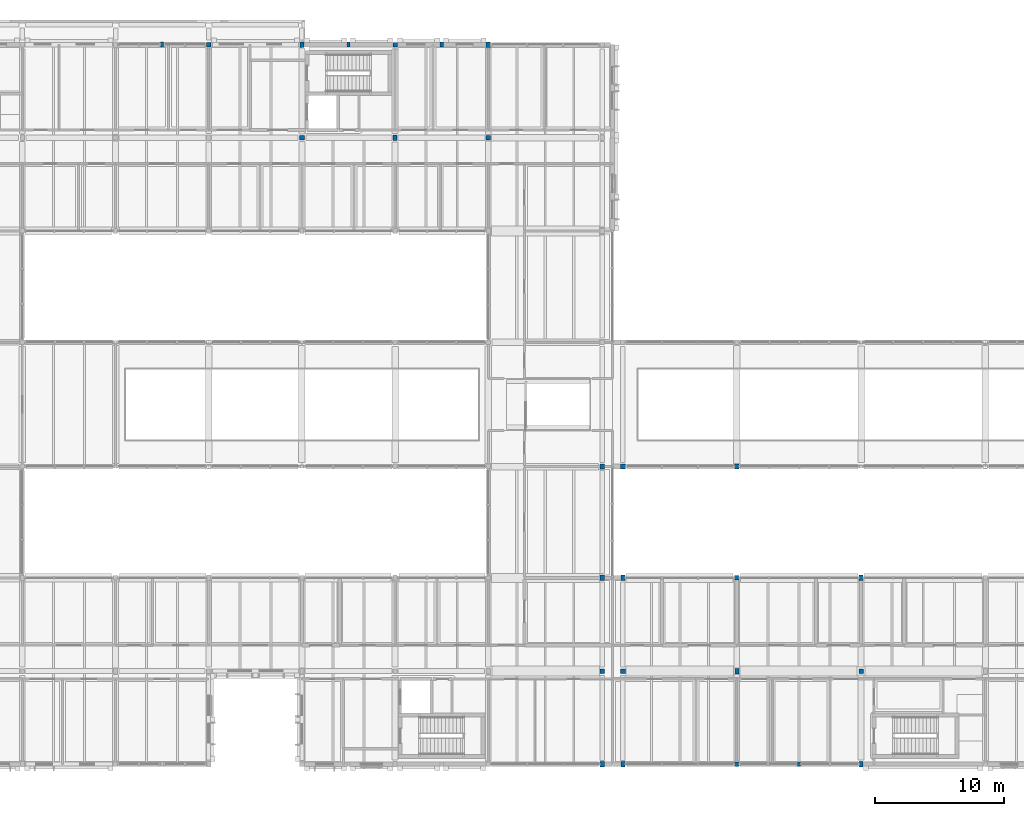
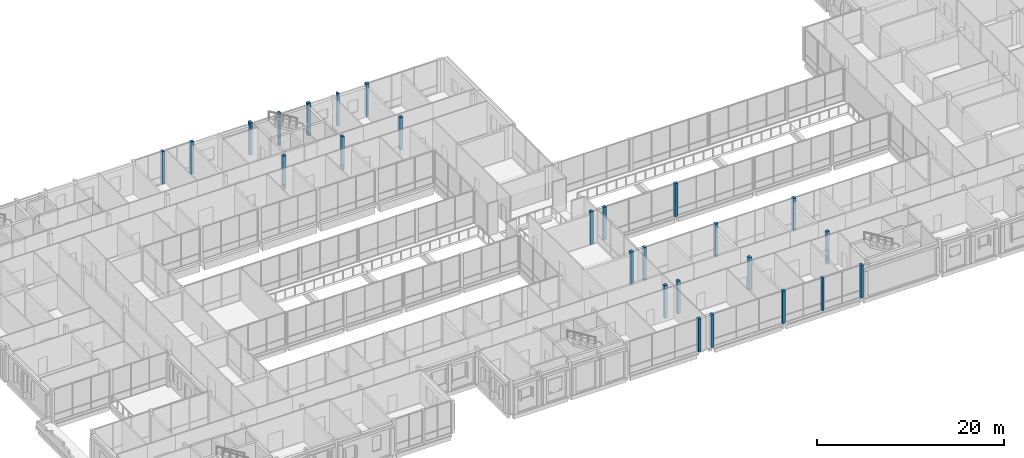
# One storey, part 9 of 146: 26 columns.
"""IFC4 building model written with IfcOpenShell, lengths in metres."""

import ifcopenshell
import ifcopenshell.guid

model = None  # the IFC model being written
_history = None  # IfcOwnerHistory: only IFC2X3 demands one
_inside = {}  # id of a spatial element -> (the spatial element, [elements in it])
_under = {}  # id of a project, library or spatial element -> (it, [spatial elements below it])
_declared = {}  # id of a project -> (the project, [libraries it declares])
_typed = {}  # id of a type object -> (the type object, [elements of that type])
_made_of = {}  # id of a material, layer set ... -> (it, [elements and type objects made of it])


def new_model(schema):
    """Start an empty IFC model of exactly this schema.

    Asked for "IFC4X3", IfcOpenShell would pick the latest addendum, in which some entities
    have other attributes; the version numbers below select the first issue.
    IFC2X3 requires an IfcOwnerHistory on every rooted entity: one is made here for all.
    """
    global model, _history
    if schema == "IFC4X3":
        model = ifcopenshell.file(schema_version=(4, 3, 0, 0))
    else:
        model = ifcopenshell.file(schema=schema)
    _inside.clear()
    _under.clear()
    _declared.clear()
    _typed.clear()
    _made_of.clear()
    _history = None
    if model.schema == "IFC2X3":
        org = make("IfcOrganization", Name="unknown")
        user = make(
            "IfcPersonAndOrganization",
            ThePerson=make("IfcPerson", FamilyName="unknown"),
            TheOrganization=org,
        )
        app = make(
            "IfcApplication",
            ApplicationDeveloper=org,
            Version="unknown",
            ApplicationFullName="unknown",
            ApplicationIdentifier="unknown",
        )
        _history = make(
            "IfcOwnerHistory",
            OwningUser=user,
            OwningApplication=app,
            ChangeAction="ADDED",
            CreationDate=0,
        )
    return model


def make(cls, **values):
    """One entity of the class cls with the attributes given. An attribute that is None is left unset."""
    return model.create_entity(
        cls, **{name: value for name, value in values.items() if value is not None}
    )


def rooted(cls, **values):
    """An entity with a GlobalId (a new one), such as an element, a storey or a relation."""
    return make(cls, GlobalId=ifcopenshell.guid.new(), OwnerHistory=_history, **values)


def si_unit(unit_type, name, prefix=None):
    """IfcSIUnit, for example si_unit("LENGTHUNIT", "METRE", prefix="MILLI")."""
    return make("IfcSIUnit", UnitType=unit_type, Prefix=prefix, Name=name)


def assignment(units):
    """IfcUnitAssignment: the units of a project."""
    return None if units is None else make("IfcUnitAssignment", Units=units)


def point(xyz):
    """IfcCartesianPoint."""
    return None if xyz is None else make("IfcCartesianPoint", Coordinates=xyz)


def direction(xyz):
    """IfcDirection."""
    return None if xyz is None else make("IfcDirection", DirectionRatios=xyz)


def frame(location, z_axis=None, x_axis=None):
    """IfcAxis2Placement3D, a coordinate frame: its origin and axes. An axis left out is left unset."""
    return make(
        "IfcAxis2Placement3D",
        Location=point(location),
        Axis=direction(z_axis),
        RefDirection=direction(x_axis),
    )


def frame_2d(location, x_axis=None):
    """IfcAxis2Placement2D, a coordinate frame in the plane: its origin and x axis."""
    return make(
        "IfcAxis2Placement2D", Location=point(location), RefDirection=direction(x_axis)
    )


def origin():
    """The frame at (0, 0, 0) with its axes left unset."""
    return frame((0.0, 0.0, 0.0))


def origin_2d():
    """The frame at (0, 0) in the plane with its x axis left unset."""
    return frame_2d((0.0, 0.0))


def place(relative_to, where):
    """IfcLocalPlacement: puts the frame where relative to a parent placement (None: the world)."""
    return make(
        "IfcLocalPlacement", PlacementRelTo=relative_to, RelativePlacement=where
    )


def context(
    kind, dimensions, precision=None, world=None, true_north=None, identifier=None
):
    """IfcGeometricRepresentationContext, for example the 3D "Model" context."""
    return make(
        "IfcGeometricRepresentationContext",
        ContextIdentifier=identifier,
        ContextType=kind,
        CoordinateSpaceDimension=dimensions,
        Precision=precision,
        WorldCoordinateSystem=world,
        TrueNorth=true_north,
    )


def subcontext(parent, identifier, kind, view, scale=None):
    """IfcGeometricRepresentationSubContext, for example "Body" below "Model"."""
    return make(
        "IfcGeometricRepresentationSubContext",
        ContextIdentifier=identifier,
        ContextType=kind,
        ParentContext=parent,
        TargetScale=scale,
        TargetView=view,
    )


def project(units=None, contexts=None):
    """IfcProject with its units and contexts."""
    return rooted(
        "IfcProject",
        Name="project",
        RepresentationContexts=contexts,
        UnitsInContext=assignment(units),
    )


def spatial(cls, under=None, at=None, **own):
    """A site, building, storey or space (cls), placed at a placement, below another one or the project."""
    s = rooted(cls, ObjectPlacement=at, **own)
    if under is not None:
        _under.setdefault(under.id(), (under, []))[1].append(s)
    return s


def profile(cls, at=None, kind="AREA", **sizes):
    """A parametric profile (cls). Its sizes go by their IFC names, for example OverallWidth=200.0."""
    return make(cls, ProfileType=kind, Position=at, **sizes)


def rectangle(**sizes):
    """IfcRectangleProfileDef."""
    return profile("IfcRectangleProfileDef", **sizes)


def extrude(swept, where, along, depth):
    """IfcExtrudedAreaSolid: the profile swept, set in the frame where, extruded along a direction by depth."""
    return make(
        "IfcExtrudedAreaSolid",
        SweptArea=swept,
        Position=where,
        ExtrudedDirection=direction(along),
        Depth=depth,
    )


def shape(context_of_items, identifier, shape_type, items):
    """IfcShapeRepresentation: the items that make up one representation, for example the "Body"."""
    return make(
        "IfcShapeRepresentation",
        ContextOfItems=context_of_items,
        RepresentationIdentifier=identifier,
        RepresentationType=shape_type,
        Items=items,
    )


def material(Name=None, Category=None):
    """IfcMaterial."""
    return make("IfcMaterial", Name=Name, Category=Category)


def material_profile(
    of_material, cross_section, Name=None, Category=None, Priority=None
):
    """IfcMaterialProfile: a cross section and its material."""
    return make(
        "IfcMaterialProfile",
        Name=Name,
        Material=of_material,
        Profile=cross_section,
        Priority=Priority,
        Category=Category,
    )


def profile_set(profiles, Name=None, composite=None):
    """IfcMaterialProfileSet."""
    return make(
        "IfcMaterialProfileSet",
        Name=Name,
        MaterialProfiles=profiles,
        CompositeProfile=composite,
    )


def made_of(thing, what):
    """Note that an element or type object is made of a material, layer set ...; save() writes the relation."""
    if what is not None:
        _made_of.setdefault(what.id(), (what, []))[1].append(thing)
    return thing


def type_object(cls, material=None, **own):
    """A type object (cls), such as IfcWallType, which elements share."""
    return made_of(rooted(cls, **own), material)


def element(
    cls,
    number,
    at=None,
    inside=None,
    cuts=None,
    type_object=None,
    material=None,
    context=None,
    identifier="Body",
    shape_type=None,
    held_by="IfcProductDefinitionShape",
    body=None,
    shapes=None,
    **own,
):
    """One element of the class cls, such as IfcWall. Its Tag is "e" and its number.

    at: its placement. inside: the storey or other place that contains it. cuts: it is an
    opening in that element (IfcRelVoidsElement). A single representation is given by context,
    identifier, shape_type and body (its items); several are given by shapes. held_by: the class
    of the entity that holds the representations. save() writes the other relations.
    """
    e = rooted(cls, Tag="e%d" % number, ObjectPlacement=at, **own)
    if body is not None:
        shapes = [shape(context, identifier, shape_type, body)]
    if shapes is not None:
        e.Representation = make(held_by, Representations=shapes)
    if inside is not None:
        _inside.setdefault(inside.id(), (inside, []))[1].append(e)
    if cuts is not None:
        rooted(
            "IfcRelVoidsElement", RelatingBuildingElement=cuts, RelatedOpeningElement=e
        )
    if type_object is not None:
        _typed.setdefault(type_object.id(), (type_object, []))[1].append(e)
    return made_of(e, material)


def aggregate(whole, parts):
    """IfcRelAggregates: a whole, such as a stair, and the parts it consists of."""
    return rooted("IfcRelAggregates", RelatingObject=whole, RelatedObjects=parts)


def save(model, path):
    """Write the relations noted so far, then the file.

    IfcRelAggregates (storeys below a building ...), IfcRelContainedInSpatialStructure (elements
    in a storey), IfcRelDefinesByType, IfcRelAssociatesMaterial and IfcRelDeclares: one each for
    every whole, place, type object, material and project.
    """
    for whole, parts in _under.values():
        aggregate(whole, parts)
    for where, things in _inside.values():
        rooted(
            "IfcRelContainedInSpatialStructure",
            RelatedElements=things,
            RelatingStructure=where,
        )
    for kind, things in _typed.values():
        rooted("IfcRelDefinesByType", RelatedObjects=things, RelatingType=kind)
    for what, things in _made_of.values():
        rooted("IfcRelAssociatesMaterial", RelatedObjects=things, RelatingMaterial=what)
    for by, libraries in _declared.values():
        rooted("IfcRelDeclares", RelatingContext=by, RelatedDefinitions=libraries)
    model.write(path)


model = new_model("IFC4")

# Units and contexts
model_context = context("Model", 3, precision=1e-05, world=origin(), true_north=direction((0.0, 1.0)))
body_context = subcontext(model_context, "Body", "Model", "MODEL_VIEW")
ifc_project = project(units=[si_unit("LENGTHUNIT", "METRE"), si_unit("AREAUNIT", "SQUARE_METRE"), si_unit("VOLUMEUNIT", "CUBIC_METRE"), si_unit("PLANEANGLEUNIT", "RADIAN"), si_unit("MASSUNIT", "GRAM", prefix="KILO")], contexts=[model_context])

# Site, building, storey
site_placement = place(None, origin())
site = spatial("IfcSite", under=ifc_project, at=site_placement, CompositionType="ELEMENT")
building_placement = place(site_placement, origin())
building = spatial("IfcBuilding", under=site, at=building_placement, Name="Hawrajan Terrace Health Centre", CompositionType="ELEMENT")
storey_placement = place(building_placement, frame((0.0, 0.0, 4.5)))
storey = spatial("IfcBuildingStorey", under=building, at=storey_placement, Name="L01", CompositionType="ELEMENT", Elevation=4.5)

# Columns
ifc_material = material(Name="Glulam GL32h", Category="wood")
ifc_material_profile_1 = material_profile(ifc_material, rectangle(XDim=0.320068359375, YDim=0.419921875, at=origin_2d()), Name="GL 320x420")
ifc_profile_set_1 = profile_set([ifc_material_profile_1], Name="Glulam GL32h")
column_type_1 = type_object("IfcColumnType", Name="GlulamCol_320x420", PredefinedType="COLUMN", material=ifc_profile_set_1)
for number, where, z_axis, x_axis, name in (
    (1, (72.60009765625, 4.199951171875, 0.0), (0.0, 0.0, 1.0), (1.0, 0.0, 0.0), "Column COL-L01-C-X10-Y1"),
    (2, (72.60009765625, 18.60009765625, 0.0), (0.0, 0.0, 1.0), (1.0, 0.0, 0.0), "Column COL-L01-C-X10-Y3"),
    (3, (81.39990234375, 11.39990234375, 0.0), (0.0, 0.0, 1.0), (1.0, 0.0, 0.0), "Column COL-L01-C-X11-Y2"),
    (4, (91.0, 4.199951171875, 0.0), (0.0, 0.0, 1.0), (1.0, 0.0, 0.0), "Column COL-L01-C-X12-Y1"),
    (5, (91.0, 18.60009765625, 0.0), (0.0, 0.0, 1.0), (1.0, 0.0, 0.0), "Column COL-L01-C-X12-Y3"),
    (6, (47.800048828125, 59.800048828125, 0.0), (0.0, 0.0, 1.0), (1.0, 0.0, 0.0), "Column COL-L01-W-X07-Y8"),
    (7, (55.0, 52.60009765625, 0.0), (0.0, 0.0, 1.0), (1.0, 0.0, 0.0), "Column COL-L01-W-X08-Y7"),
    (8, (62.199951171875, 59.800048828125, 0.0), (0.0, 0.0, 1.0), (1.0, 0.0, 0.0), "Column COL-L01-W-X09-Y8"),
    (9, (71.0, 4.199951171875, 0.0), (0.0, 0.0, 1.0), (1.0, 0.0, 0.0), "Column COL-L01-W-X10-Y1"),
    (10, (71.0, 18.60009765625, 0.0), (0.0, 0.0, 1.0), (1.0, 0.0, 0.0), "Column COL-L01-W-X10-Y3"),
):
    element("IfcColumn", number, at=place(storey_placement, frame(where, z_axis=z_axis, x_axis=x_axis)), inside=storey, type_object=column_type_1, Name=name, PredefinedType="COLUMN", context=body_context, shape_type="SweptSolid", body=[
        extrude(rectangle(XDim=0.320068359375, YDim=0.419921875, at=origin_2d()), origin(), (0.0, 0.0, 1.0), 4.260009765625),
    ])
ifc_material_profile_2 = material_profile(ifc_material, rectangle(XDim=0.360107421875, YDim=0.360107421875, at=origin_2d()), Name="GL 360x360")
ifc_profile_set_2 = profile_set([ifc_material_profile_2], Name="Glulam GL32h")
column_type_2 = type_object("IfcColumnType", Name="GlulamCol_360x360", PredefinedType="COLUMN", material=ifc_profile_set_2)
column_1_placement = place(storey_placement, frame((72.60009765625, 11.39990234375, 0.0), z_axis=(0.0, 0.0, 1.0), x_axis=(1.0, 0.0, 0.0)))
element("IfcColumn", 11, at=column_1_placement, inside=storey, type_object=column_type_2, Name="Column COL-L01-C-X10-Y2", PredefinedType="COLUMN", context=body_context, shape_type="SweptSolid", body=[
    extrude(rectangle(XDim=0.360107421875, YDim=0.360107421875, at=origin_2d()), origin(), (0.0, 0.0, 1.0), 4.260009765625),
])
column_2_placement = place(storey_placement, frame((72.60009765625, 27.199951171875, 0.0), z_axis=(0.0, 0.0, 1.0), x_axis=(1.0, 0.0, 0.0)))
element("IfcColumn", 12, at=column_2_placement, inside=storey, type_object=column_type_2, Name="Column COL-L01-C-X10-Y4", PredefinedType="COLUMN", context=body_context, shape_type="SweptSolid", body=[
    extrude(rectangle(XDim=0.360107421875, YDim=0.360107421875, at=origin_2d()), origin(), (0.0, 0.0, 1.0), 4.300048828125),
])
for number, where, z_axis, x_axis, name in (
    (13, (81.39990234375, 4.199951171875, 0.0), (0.0, 0.0, 1.0), (1.0, 0.0, 0.0), "Column COL-L01-C-X11-Y1"),
    (14, (81.39990234375, 18.60009765625, 0.0), (0.0, 0.0, 1.0), (1.0, 0.0, 0.0), "Column COL-L01-C-X11-Y3"),
):
    element("IfcColumn", number, at=place(storey_placement, frame(where, z_axis=z_axis, x_axis=x_axis)), inside=storey, type_object=column_type_2, Name=name, PredefinedType="COLUMN", context=body_context, shape_type="SweptSolid", body=[
        extrude(rectangle(XDim=0.360107421875, YDim=0.360107421875, at=origin_2d()), origin(), (0.0, 0.0, 1.0), 4.260009765625),
    ])
column_3_placement = place(storey_placement, frame((81.39990234375, 27.199951171875, 0.0), z_axis=(0.0, 0.0, 1.0), x_axis=(1.0, 0.0, 0.0)))
element("IfcColumn", 15, at=column_3_placement, inside=storey, type_object=column_type_2, Name="Column COL-L01-C-X11-Y4", PredefinedType="COLUMN", context=body_context, shape_type="SweptSolid", body=[
    extrude(rectangle(XDim=0.360107421875, YDim=0.360107421875, at=origin_2d()), origin(), (0.0, 0.0, 1.0), 4.300048828125),
])
for number, where, z_axis, x_axis, name in (
    (16, (91.0, 11.39990234375, 0.0), (0.0, 0.0, 1.0), (1.0, 0.0, 0.0), "Column COL-L01-C-X12-Y2"),
    (17, (40.60009765625, 59.800048828125, 0.0), (0.0, 0.0, 1.0), (1.0, 0.0, 0.0), "Column COL-L01-W-X06-Y8"),
    (18, (47.800048828125, 52.60009765625, 0.0), (0.0, 0.0, 1.0), (1.0, 0.0, 0.0), "Column COL-L01-W-X07-Y7"),
    (19, (55.0, 59.800048828125, 0.0), (0.0, 0.0, 1.0), (1.0, 0.0, 0.0), "Column COL-L01-W-X08-Y8"),
    (20, (62.199951171875, 52.60009765625, 0.0), (0.0, 0.0, 1.0), (1.0, 0.0, 0.0), "Column COL-L01-W-X09-Y7"),
    (21, (71.0, 11.39990234375, 0.0), (0.0, 0.0, 1.0), (1.0, 0.0, 0.0), "Column COL-L01-W-X10-Y2"),
):
    element("IfcColumn", number, at=place(storey_placement, frame(where, z_axis=z_axis, x_axis=x_axis)), inside=storey, type_object=column_type_2, Name=name, PredefinedType="COLUMN", context=body_context, shape_type="SweptSolid", body=[
        extrude(rectangle(XDim=0.360107421875, YDim=0.360107421875, at=origin_2d()), origin(), (0.0, 0.0, 1.0), 4.260009765625),
    ])
column_4_placement = place(storey_placement, frame((71.0, 27.199951171875, 0.0), z_axis=(0.0, 0.0, 1.0), x_axis=(1.0, 0.0, 0.0)))
element("IfcColumn", 22, at=column_4_placement, inside=storey, type_object=column_type_2, Name="Column COL-L01-W-X10-Y4", PredefinedType="COLUMN", context=body_context, shape_type="SweptSolid", body=[
    extrude(rectangle(XDim=0.360107421875, YDim=0.360107421875, at=origin_2d()), origin(), (0.0, 0.0, 1.0), 4.300048828125),
])
ifc_material_profile_3 = material_profile(ifc_material, rectangle(XDim=0.239990234375, YDim=0.3798828125, at=origin_2d()), Name="GL PIL 240x380")
ifc_profile_set_3 = profile_set([ifc_material_profile_3], Name="Glulam GL32h")
column_type_3 = type_object("IfcColumnType", Name="GlulamPilaster_240x380", PredefinedType="PILASTER", material=ifc_profile_set_3)
for number, where, z_axis, x_axis, name in (
    (23, (37.0, 59.800048828125, 0.0), (0.0, 0.0, 1.0), (1.0, 0.0, 0.0), "Art Deco fluted pilaster L01-05-Y8"),
    (24, (51.39990234375, 59.800048828125, 0.0), (0.0, 0.0, 1.0), (1.0, 0.0, 0.0), "Art Deco fluted pilaster L01-07-Y8"),
    (25, (58.60009765625, 59.800048828125, 0.0), (0.0, 0.0, 1.0), (1.0, 0.0, 0.0), "Art Deco fluted pilaster L01-08-Y8"),
    (26, (86.199951171875, 4.199951171875, 0.0), (0.0, 0.0, 1.0), (1.0, 0.0, 0.0), "Art Deco fluted pilaster L01-11-Y1"),
):
    element("IfcColumn", number, at=place(storey_placement, frame(where, z_axis=z_axis, x_axis=x_axis)), inside=storey, type_object=column_type_3, Name=name, PredefinedType="PILASTER", context=body_context, shape_type="SweptSolid", body=[
        extrude(rectangle(XDim=0.239990234375, YDim=0.3798828125, at=origin_2d()), origin(), (0.0, 0.0, 1.0), 4.260009765625),
    ])

save(model, "model.ifc")
